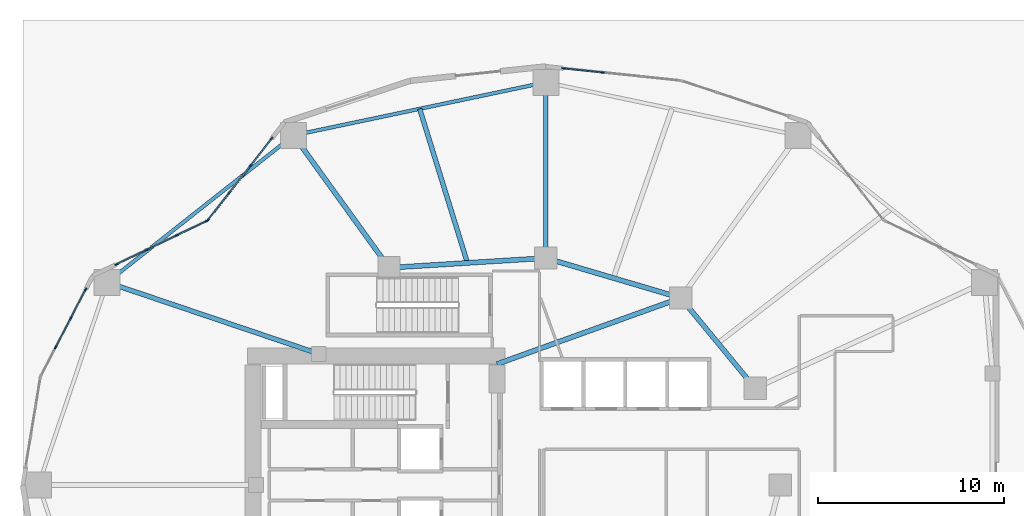
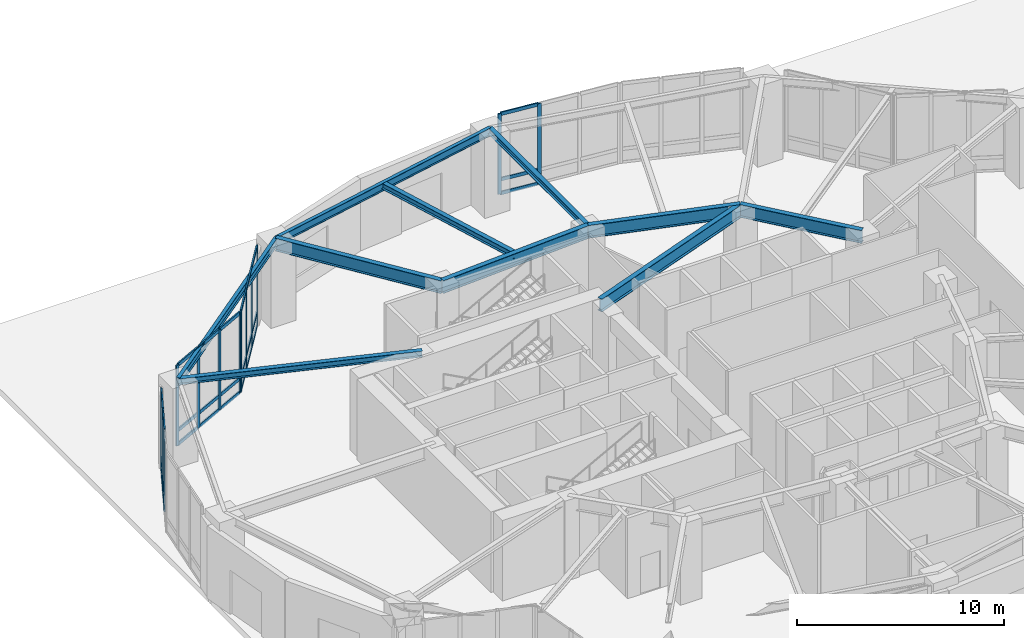
# One storey, part 6 of 23: 40 members, 10 beams, 4 elements without a shape of their own.
"""IFC4 building model written with IfcOpenShell, lengths in metres."""

from ifc_helpers import new_model, si_unit, direction, frame, origin, origin_2d, place, context, subcontext, project, spatial, rectangle, i_section, extrude, material, layer, layer_set, material_profile, profile_set, type_object, element, aggregate, save


model = new_model("IFC4")

# Units and contexts
model_context = context("Model", 3, precision=1e-05, world=origin(), true_north=direction((0.0, 1.0)))
body_context = subcontext(model_context, "Body", "Model", "MODEL_VIEW")
ifc_project = project(units=[si_unit("LENGTHUNIT", "METRE"), si_unit("AREAUNIT", "SQUARE_METRE"), si_unit("VOLUMEUNIT", "CUBIC_METRE"), si_unit("PLANEANGLEUNIT", "RADIAN"), si_unit("MASSUNIT", "GRAM", prefix="KILO")], contexts=[model_context])

# Site, building, storey
site_placement = place(None, origin())
site = spatial("IfcSite", under=ifc_project, at=site_placement, CompositionType="ELEMENT")
building_placement = place(site_placement, origin())
building = spatial("IfcBuilding", under=site, at=building_placement, Name="Kolvaren Gate Tower and Convention Centre", CompositionType="ELEMENT")
storey_placement = place(building_placement, origin())
storey = spatial("IfcBuildingStorey", under=building, at=storey_placement, Name="L00", CompositionType="ELEMENT", Elevation=0.0)

# Curtain wall, members
ifc_material_1 = material(Name="Anodized Architectural Aluminium Alloy 6063-T6", Category="aluminium")
ifc_layer = layer(ifc_material_1, 0.179931640625)
ifc_layer_set = layer_set([ifc_layer], Name="Anodized Architectural Aluminium Alloy 6063-T6")
curtain_wall_type = type_object("IfcCurtainWallType", Name="CW-POD-GLZ", PredefinedType="NOTDEFINED", material=ifc_layer_set)
curtain_wall_1_placement = place(storey_placement, origin())
curtain_wall_1 = element("IfcCurtainWall", 1, at=curtain_wall_1_placement, inside=storey, type_object=curtain_wall_type, Name="Tower L00 Unitised Curtain Wall CW-POD-GLZ Bay 05", PredefinedType="NOTDEFINED")
ifc_material_profile_1 = material_profile(ifc_material_1, rectangle(XDim=0.074951171875, YDim=0.199951171875, at=origin_2d()), Name="CW-MEM-MUL-200")
ifc_profile_set_1 = profile_set([ifc_material_profile_1], Name="Anodized Architectural Aluminium Alloy 6063-T6")
member_type_1 = type_object("IfcMemberType", Name="CW-MEM-MUL-200", PredefinedType="MULLION", material=ifc_profile_set_1)
member_1_placement = place(storey_placement, frame((31.086181640625, 49.398681640625, 0.0), z_axis=(0.0, 0.0, 1.0), x_axis=(0.104748319841, 0.994498762941, 0.0)))
member_1 = element("IfcMember", 2, at=member_1_placement, type_object=member_type_1, Name="CW-01 mullion 1", PredefinedType="MULLION", context=body_context, shape_type="SweptSolid", body=[
    extrude(rectangle(XDim=0.074951171875, YDim=0.199951171875, at=origin_2d()), origin(), (0.0, 0.0, 1.0), 4.739990234375),
])
member_2_placement = place(storey_placement, frame((33.16748046875, 49.1796875, 0.0), z_axis=(0.0, 0.0, 1.0), x_axis=(0.104748319841, 0.994498762941, 0.0)))
member_2 = element("IfcMember", 3, at=member_2_placement, type_object=member_type_1, Name="CW-01 mullion 2", PredefinedType="MULLION", context=body_context, shape_type="SweptSolid", body=[
    extrude(rectangle(XDim=0.074951171875, YDim=0.199951171875, at=origin_2d()), origin(), (0.0, 0.0, 1.0), 4.739990234375),
])

curtain_wall_2_placement = place(storey_placement, origin())
curtain_wall_2 = element("IfcCurtainWall", 4, at=curtain_wall_2_placement, inside=storey, type_object=curtain_wall_type, Name="Tower L00 Unitised Curtain Wall CW-POD-GLZ Bay 08", PredefinedType="NOTDEFINED")
member_3_placement = place(storey_placement, frame((11.957763671875, 41.242431640625, 0.0), z_axis=(0.0, 0.0, 1.0), x_axis=(-0.787416755422, 0.616421003276, 0.0)))
member_3 = element("IfcMember", 5, at=member_3_placement, type_object=member_type_1, Name="CW-01 mullion 1", PredefinedType="MULLION", context=body_context, shape_type="SweptSolid", body=[
    extrude(rectangle(XDim=0.074951171875, YDim=0.199951171875, at=origin_2d()), origin(), (0.0, 0.0, 1.0), 4.739990234375),
])
member_4_placement = place(storey_placement, frame((13.08935546875, 42.68798828125, 0.0), z_axis=(0.0, 0.0, 1.0), x_axis=(-0.787416755422, 0.616421003276, 0.0)))
member_4 = element("IfcMember", 6, at=member_4_placement, type_object=member_type_1, Name="CW-01 mullion 2", PredefinedType="MULLION", context=body_context, shape_type="SweptSolid", body=[
    extrude(rectangle(XDim=0.074951171875, YDim=0.199951171875, at=origin_2d()), origin(), (0.0, 0.0, 1.0), 4.739990234375),
])
member_5_placement = place(storey_placement, frame((14.244140625, 44.1630859375, 0.0), z_axis=(0.0, 0.0, 1.0), x_axis=(-0.787416755422, 0.616421003276, 0.0)))
member_5 = element("IfcMember", 7, at=member_5_placement, type_object=member_type_1, Name="CW-01 mullion 3", PredefinedType="MULLION", context=body_context, shape_type="SweptSolid", body=[
    extrude(rectangle(XDim=0.074951171875, YDim=0.199951171875, at=origin_2d()), origin(), (0.0, 0.0, 1.0), 4.739990234375),
])
member_6_placement = place(storey_placement, frame((15.3759765625, 45.608642578125, 0.0), z_axis=(0.0, 0.0, 1.0), x_axis=(-0.787416755422, 0.616421003276, 0.0)))
member_6 = element("IfcMember", 8, at=member_6_placement, type_object=member_type_1, Name="CW-01 mullion 4", PredefinedType="MULLION", context=body_context, shape_type="SweptSolid", body=[
    extrude(rectangle(XDim=0.074951171875, YDim=0.199951171875, at=origin_2d()), origin(), (0.0, 0.0, 1.0), 4.739990234375),
])

curtain_wall_3_placement = place(storey_placement, origin())
curtain_wall_3 = element("IfcCurtainWall", 9, at=curtain_wall_3_placement, inside=storey, type_object=curtain_wall_type, Name="Tower L00 Unitised Curtain Wall CW-POD-GLZ Bay 09", PredefinedType="NOTDEFINED")
member_7_placement = place(storey_placement, frame((7.046630859375, 38.8642578125, 0.0), z_axis=(0.0, 0.0, 1.0), x_axis=(-0.433056703319, 0.901366679942, 0.0)))
member_7 = element("IfcMember", 10, at=member_7_placement, type_object=member_type_1, Name="CW-01 mullion 1", PredefinedType="MULLION", context=body_context, shape_type="SweptSolid", body=[
    extrude(rectangle(XDim=0.074951171875, YDim=0.199951171875, at=origin_2d()), origin(), (0.0, 0.0, 1.0), 4.739990234375),
])
member_8_placement = place(storey_placement, frame((8.6533203125, 39.63623046875, 0.0), z_axis=(0.0, 0.0, 1.0), x_axis=(-0.433056703319, 0.901366679942, 0.0)))
member_8 = element("IfcMember", 11, at=member_8_placement, type_object=member_type_1, Name="CW-01 mullion 2", PredefinedType="MULLION", context=body_context, shape_type="SweptSolid", body=[
    extrude(rectangle(XDim=0.074951171875, YDim=0.199951171875, at=origin_2d()), origin(), (0.0, 0.0, 1.0), 4.739990234375),
])
member_9_placement = place(storey_placement, frame((10.2939453125, 40.424560546875, 0.0), z_axis=(0.0, 0.0, 1.0), x_axis=(-0.433056703319, 0.901366679942, 0.0)))
member_9 = element("IfcMember", 12, at=member_9_placement, type_object=member_type_1, Name="CW-01 mullion 3", PredefinedType="MULLION", context=body_context, shape_type="SweptSolid", body=[
    extrude(rectangle(XDim=0.074951171875, YDim=0.199951171875, at=origin_2d()), origin(), (0.0, 0.0, 1.0), 4.739990234375),
])
member_10_placement = place(storey_placement, frame((11.90087890625, 41.196533203125, 0.0), z_axis=(0.0, 0.0, 1.0), x_axis=(-0.433056703319, 0.901366679942, 0.0)))
member_10 = element("IfcMember", 13, at=member_10_placement, type_object=member_type_1, Name="CW-01 mullion 4", PredefinedType="MULLION", context=body_context, shape_type="SweptSolid", body=[
    extrude(rectangle(XDim=0.074951171875, YDim=0.199951171875, at=origin_2d()), origin(), (0.0, 0.0, 1.0), 4.739990234375),
])

curtain_wall_4_placement = place(storey_placement, origin())
curtain_wall_4 = element("IfcCurtainWall", 14, at=curtain_wall_4_placement, inside=storey, type_object=curtain_wall_type, Name="Tower L00 Unitised Curtain Wall CW-POD-GLZ Bay 10", PredefinedType="NOTDEFINED")
member_11_placement = place(storey_placement, frame((3.77197265625, 34.39501953125, 0.0), z_axis=(0.0, 0.0, 1.0), x_axis=(-0.888028058024, 0.459789264949, 0.0)))
member_11 = element("IfcMember", 15, at=member_11_placement, type_object=member_type_1, Name="CW-01 mullion 2", PredefinedType="MULLION", context=body_context, shape_type="SweptSolid", body=[
    extrude(rectangle(XDim=0.074951171875, YDim=0.199951171875, at=origin_2d()), origin(), (0.0, 0.0, 1.0), 4.739990234375),
])
member_12_placement = place(storey_placement, frame((4.585693359375, 35.96630859375, 0.0), z_axis=(0.0, 0.0, 1.0), x_axis=(-0.888028058024, 0.459789264949, 0.0)))
member_12 = element("IfcMember", 16, at=member_12_placement, type_object=member_type_1, Name="CW-01 mullion 3", PredefinedType="MULLION", context=body_context, shape_type="SweptSolid", body=[
    extrude(rectangle(XDim=0.074951171875, YDim=0.199951171875, at=origin_2d()), origin(), (0.0, 0.0, 1.0), 4.739990234375),
])
member_13_placement = place(storey_placement, frame((5.382080078125, 37.504638671875, 0.0), z_axis=(0.0, 0.0, 1.0), x_axis=(-0.888028058024, 0.459789264949, 0.0)))
member_13 = element("IfcMember", 17, at=member_13_placement, type_object=member_type_1, Name="CW-01 mullion 4", PredefinedType="MULLION", context=body_context, shape_type="SweptSolid", body=[
    extrude(rectangle(XDim=0.074951171875, YDim=0.199951171875, at=origin_2d()), origin(), (0.0, 0.0, 1.0), 4.739990234375),
])

# Member
ifc_material_profile_2 = material_profile(ifc_material_1, rectangle(XDim=0.074951171875, YDim=0.199951171875, at=origin_2d()), Name="CW-MEM-TRN-200")
ifc_profile_set_2 = profile_set([ifc_material_profile_2], Name="Anodized Architectural Aluminium Alloy 6063-T6")
member_type_2 = type_object("IfcMemberType", Name="CW-MEM-TRN-200", PredefinedType="USERDEFINED", material=ifc_profile_set_2)
member_14_placement = place(storey_placement, frame((31.12353515625, 49.394775390625, 0.03759765625), z_axis=(0.9945074418, -0.104665888448, 0.0), x_axis=(0.104665888448, 0.9945074418, 0.0)))
member_14 = element("IfcMember", 18, at=member_14_placement, type_object=member_type_2, Name="CW-01 transom 1.1", ObjectType="TRANSOM", PredefinedType="USERDEFINED", context=body_context, shape_type="SweptSolid", body=[
    extrude(rectangle(XDim=0.074951171875, YDim=0.199951171875, at=origin_2d()), origin(), (0.0, 0.0, 1.0), 2.017578125),
])

member_15_placement = place(storey_placement, frame((31.12353515625, 49.394775390625, 0.85009765625), z_axis=(0.9945074418, -0.104665888448, 0.0), x_axis=(0.104665888448, 0.9945074418, 0.0)))
member_15 = element("IfcMember", 19, at=member_15_placement, type_object=member_type_2, Name="CW-01 transom 1.2", ObjectType="TRANSOM", PredefinedType="USERDEFINED", context=body_context, shape_type="SweptSolid", body=[
    extrude(rectangle(XDim=0.074951171875, YDim=0.199951171875, at=origin_2d()), origin(), (0.0, 0.0, 1.0), 2.017578125),
])

member_16_placement = place(storey_placement, frame((31.12353515625, 49.394775390625, 4.702392578125), z_axis=(0.9945074418, -0.104665888448, 0.0), x_axis=(0.104665888448, 0.9945074418, 0.0)))
member_16 = element("IfcMember", 20, at=member_16_placement, type_object=member_type_2, Name="CW-01 transom 1.3", ObjectType="TRANSOM", PredefinedType="USERDEFINED", context=body_context, shape_type="SweptSolid", body=[
    extrude(rectangle(XDim=0.074951171875, YDim=0.199951171875, at=origin_2d()), origin(), (0.0, 0.0, 1.0), 2.017578125),
])

aggregate(curtain_wall_1, [member_1, member_2, member_14, member_15, member_16])

member_17_placement = place(storey_placement, frame((11.98095703125, 41.27197265625, 0.03759765625), z_axis=(0.616442840137, 0.787399660175, 0.0), x_axis=(-0.787399660175, 0.616442840137, 0.0)))
member_17 = element("IfcMember", 21, at=member_17_placement, type_object=member_type_2, Name="CW-01 transom 1.1", ObjectType="TRANSOM", PredefinedType="USERDEFINED", context=body_context, shape_type="SweptSolid", body=[
    extrude(rectangle(XDim=0.074951171875, YDim=0.199951171875, at=origin_2d()), origin(), (0.0, 0.0, 1.0), 1.7607421875),
])

member_18_placement = place(storey_placement, frame((11.98095703125, 41.27197265625, 0.85009765625), z_axis=(0.616442840137, 0.787399660175, 0.0), x_axis=(-0.787399660175, 0.616442840137, 0.0)))
member_18 = element("IfcMember", 22, at=member_18_placement, type_object=member_type_2, Name="CW-01 transom 1.2", ObjectType="TRANSOM", PredefinedType="USERDEFINED", context=body_context, shape_type="SweptSolid", body=[
    extrude(rectangle(XDim=0.074951171875, YDim=0.199951171875, at=origin_2d()), origin(), (0.0, 0.0, 1.0), 1.7607421875),
])

member_19_placement = place(storey_placement, frame((11.98095703125, 41.27197265625, 4.702392578125), z_axis=(0.616442840137, 0.787399660175, 0.0), x_axis=(-0.787399660175, 0.616442840137, 0.0)))
member_19 = element("IfcMember", 23, at=member_19_placement, type_object=member_type_2, Name="CW-01 transom 1.3", ObjectType="TRANSOM", PredefinedType="USERDEFINED", context=body_context, shape_type="SweptSolid", body=[
    extrude(rectangle(XDim=0.074951171875, YDim=0.199951171875, at=origin_2d()), origin(), (0.0, 0.0, 1.0), 1.7607421875),
])

member_20_placement = place(storey_placement, frame((13.112548828125, 42.717529296875, 0.03759765625), z_axis=(0.616465649316, 0.787381802694, 0.0), x_axis=(-0.787381802694, 0.616465649316, 0.0)))
member_20 = element("IfcMember", 24, at=member_20_placement, type_object=member_type_2, Name="CW-01 transom 2.1", ObjectType="TRANSOM", PredefinedType="USERDEFINED", context=body_context, shape_type="SweptSolid", body=[
    extrude(rectangle(XDim=0.074951171875, YDim=0.199951171875, at=origin_2d()), origin(), (0.0, 0.0, 1.0), 1.79833984375),
])

member_21_placement = place(storey_placement, frame((13.112548828125, 42.717529296875, 0.85009765625), z_axis=(0.616465649316, 0.787381802694, 0.0), x_axis=(-0.787381802694, 0.616465649316, 0.0)))
member_21 = element("IfcMember", 25, at=member_21_placement, type_object=member_type_2, Name="CW-01 transom 2.2", ObjectType="TRANSOM", PredefinedType="USERDEFINED", context=body_context, shape_type="SweptSolid", body=[
    extrude(rectangle(XDim=0.074951171875, YDim=0.199951171875, at=origin_2d()), origin(), (0.0, 0.0, 1.0), 1.79833984375),
])

member_22_placement = place(storey_placement, frame((13.112548828125, 42.717529296875, 4.702392578125), z_axis=(0.616465649316, 0.787381802694, 0.0), x_axis=(-0.787381802694, 0.616465649316, 0.0)))
member_22 = element("IfcMember", 26, at=member_22_placement, type_object=member_type_2, Name="CW-01 transom 2.3", ObjectType="TRANSOM", PredefinedType="USERDEFINED", context=body_context, shape_type="SweptSolid", body=[
    extrude(rectangle(XDim=0.074951171875, YDim=0.199951171875, at=origin_2d()), origin(), (0.0, 0.0, 1.0), 1.79833984375),
])

member_23_placement = place(storey_placement, frame((14.267333984375, 44.192626953125, 0.03759765625), z_axis=(0.616442840137, 0.787399660175, 0.0), x_axis=(-0.787399660175, 0.616442840137, 0.0)))
member_23 = element("IfcMember", 27, at=member_23_placement, type_object=member_type_2, Name="CW-01 transom 3.1", ObjectType="TRANSOM", PredefinedType="USERDEFINED", context=body_context, shape_type="SweptSolid", body=[
    extrude(rectangle(XDim=0.074951171875, YDim=0.199951171875, at=origin_2d()), origin(), (0.0, 0.0, 1.0), 1.7607421875),
])

member_24_placement = place(storey_placement, frame((14.267333984375, 44.192626953125, 0.85009765625), z_axis=(0.616442840137, 0.787399660175, 0.0), x_axis=(-0.787399660175, 0.616442840137, 0.0)))
member_24 = element("IfcMember", 28, at=member_24_placement, type_object=member_type_2, Name="CW-01 transom 3.2", ObjectType="TRANSOM", PredefinedType="USERDEFINED", context=body_context, shape_type="SweptSolid", body=[
    extrude(rectangle(XDim=0.074951171875, YDim=0.199951171875, at=origin_2d()), origin(), (0.0, 0.0, 1.0), 1.7607421875),
])

member_25_placement = place(storey_placement, frame((14.267333984375, 44.192626953125, 4.702392578125), z_axis=(0.616442840137, 0.787399660175, 0.0), x_axis=(-0.787399660175, 0.616442840137, 0.0)))
member_25 = element("IfcMember", 29, at=member_25_placement, type_object=member_type_2, Name="CW-01 transom 3.3", ObjectType="TRANSOM", PredefinedType="USERDEFINED", context=body_context, shape_type="SweptSolid", body=[
    extrude(rectangle(XDim=0.074951171875, YDim=0.199951171875, at=origin_2d()), origin(), (0.0, 0.0, 1.0), 1.7607421875),
])

aggregate(curtain_wall_2, [member_3, member_4, member_5, member_6, member_17, member_18, member_19, member_20, member_21, member_22, member_23, member_24, member_25])

member_26_placement = place(storey_placement, frame((7.080322265625, 38.880615234375, 0.03759765625), z_axis=(0.901377999465, 0.433033142011, 0.0), x_axis=(-0.433033142011, 0.901377999465, 0.0)))
member_26 = element("IfcMember", 30, at=member_26_placement, type_object=member_type_2, Name="CW-01 transom 1.1", ObjectType="TRANSOM", PredefinedType="USERDEFINED", context=body_context, shape_type="SweptSolid", body=[
    extrude(rectangle(XDim=0.074951171875, YDim=0.199951171875, at=origin_2d()), origin(), (0.0, 0.0, 1.0), 1.707763671875),
])

member_27_placement = place(storey_placement, frame((7.080322265625, 38.880615234375, 0.85009765625), z_axis=(0.901377999465, 0.433033142011, 0.0), x_axis=(-0.433033142011, 0.901377999465, 0.0)))
member_27 = element("IfcMember", 31, at=member_27_placement, type_object=member_type_2, Name="CW-01 transom 1.2", ObjectType="TRANSOM", PredefinedType="USERDEFINED", context=body_context, shape_type="SweptSolid", body=[
    extrude(rectangle(XDim=0.074951171875, YDim=0.199951171875, at=origin_2d()), origin(), (0.0, 0.0, 1.0), 1.707763671875),
])

member_28_placement = place(storey_placement, frame((7.080322265625, 38.880615234375, 4.702392578125), z_axis=(0.901377999465, 0.433033142011, 0.0), x_axis=(-0.433033142011, 0.901377999465, 0.0)))
member_28 = element("IfcMember", 32, at=member_28_placement, type_object=member_type_2, Name="CW-01 transom 1.3", ObjectType="TRANSOM", PredefinedType="USERDEFINED", context=body_context, shape_type="SweptSolid", body=[
    extrude(rectangle(XDim=0.074951171875, YDim=0.199951171875, at=origin_2d()), origin(), (0.0, 0.0, 1.0), 1.707763671875),
])

member_29_placement = place(storey_placement, frame((8.687255859375, 39.652587890625, 0.03759765625), z_axis=(0.901339603895, 0.433113055046, 0.0), x_axis=(-0.433113055046, 0.901339603895, 0.0)))
member_29 = element("IfcMember", 33, at=member_29_placement, type_object=member_type_2, Name="CW-01 transom 2.1", ObjectType="TRANSOM", PredefinedType="USERDEFINED", context=body_context, shape_type="SweptSolid", body=[
    extrude(rectangle(XDim=0.074951171875, YDim=0.199951171875, at=origin_2d()), origin(), (0.0, 0.0, 1.0), 1.7451171875),
])

member_30_placement = place(storey_placement, frame((8.687255859375, 39.652587890625, 0.85009765625), z_axis=(0.901339603895, 0.433113055046, 0.0), x_axis=(-0.433113055046, 0.901339603895, 0.0)))
member_30 = element("IfcMember", 34, at=member_30_placement, type_object=member_type_2, Name="CW-01 transom 2.2", ObjectType="TRANSOM", PredefinedType="USERDEFINED", context=body_context, shape_type="SweptSolid", body=[
    extrude(rectangle(XDim=0.074951171875, YDim=0.199951171875, at=origin_2d()), origin(), (0.0, 0.0, 1.0), 1.7451171875),
])

member_31_placement = place(storey_placement, frame((8.687255859375, 39.652587890625, 4.702392578125), z_axis=(0.901339603895, 0.433113055046, 0.0), x_axis=(-0.433113055046, 0.901339603895, 0.0)))
member_31 = element("IfcMember", 35, at=member_31_placement, type_object=member_type_2, Name="CW-01 transom 2.3", ObjectType="TRANSOM", PredefinedType="USERDEFINED", context=body_context, shape_type="SweptSolid", body=[
    extrude(rectangle(XDim=0.074951171875, YDim=0.199951171875, at=origin_2d()), origin(), (0.0, 0.0, 1.0), 1.7451171875),
])

member_32_placement = place(storey_placement, frame((10.327880859375, 40.44091796875, 0.03759765625), z_axis=(0.901377999465, 0.433033142011, 0.0), x_axis=(-0.433033142011, 0.901377999465, 0.0)))
member_32 = element("IfcMember", 36, at=member_32_placement, type_object=member_type_2, Name="CW-01 transom 3.1", ObjectType="TRANSOM", PredefinedType="USERDEFINED", context=body_context, shape_type="SweptSolid", body=[
    extrude(rectangle(XDim=0.074951171875, YDim=0.199951171875, at=origin_2d()), origin(), (0.0, 0.0, 1.0), 1.707763671875),
])

member_33_placement = place(storey_placement, frame((10.327880859375, 40.44091796875, 0.85009765625), z_axis=(0.901377999465, 0.433033142011, 0.0), x_axis=(-0.433033142011, 0.901377999465, 0.0)))
member_33 = element("IfcMember", 37, at=member_33_placement, type_object=member_type_2, Name="CW-01 transom 3.2", ObjectType="TRANSOM", PredefinedType="USERDEFINED", context=body_context, shape_type="SweptSolid", body=[
    extrude(rectangle(XDim=0.074951171875, YDim=0.199951171875, at=origin_2d()), origin(), (0.0, 0.0, 1.0), 1.707763671875),
])

member_34_placement = place(storey_placement, frame((10.327880859375, 40.44091796875, 4.702392578125), z_axis=(0.901377999465, 0.433033142011, 0.0), x_axis=(-0.433033142011, 0.901377999465, 0.0)))
member_34 = element("IfcMember", 38, at=member_34_placement, type_object=member_type_2, Name="CW-01 transom 3.3", ObjectType="TRANSOM", PredefinedType="USERDEFINED", context=body_context, shape_type="SweptSolid", body=[
    extrude(rectangle(XDim=0.074951171875, YDim=0.199951171875, at=origin_2d()), origin(), (0.0, 0.0, 1.0), 1.707763671875),
])

aggregate(curtain_wall_3, [member_7, member_8, member_9, member_10, member_26, member_27, member_28, member_29, member_30, member_31, member_32, member_33, member_34])

member_35_placement = place(storey_placement, frame((3.789306640625, 34.42822265625, 0.03759765625), z_axis=(0.459732523295, 0.888057434531, 0.0), x_axis=(-0.888057434531, 0.459732523295, 0.0)))
member_35 = element("IfcMember", 39, at=member_35_placement, type_object=member_type_2, Name="CW-01 transom 2.1", ObjectType="TRANSOM", PredefinedType="USERDEFINED", context=body_context, shape_type="SweptSolid", body=[
    extrude(rectangle(XDim=0.074951171875, YDim=0.199951171875, at=origin_2d()), origin(), (0.0, 0.0, 1.0), 1.694580078125),
])

member_36_placement = place(storey_placement, frame((3.789306640625, 34.42822265625, 0.85009765625), z_axis=(0.459732523295, 0.888057434531, 0.0), x_axis=(-0.888057434531, 0.459732523295, 0.0)))
member_36 = element("IfcMember", 40, at=member_36_placement, type_object=member_type_2, Name="CW-01 transom 2.2", ObjectType="TRANSOM", PredefinedType="USERDEFINED", context=body_context, shape_type="SweptSolid", body=[
    extrude(rectangle(XDim=0.074951171875, YDim=0.199951171875, at=origin_2d()), origin(), (0.0, 0.0, 1.0), 1.694580078125),
])

member_37_placement = place(storey_placement, frame((3.789306640625, 34.42822265625, 4.702392578125), z_axis=(0.459732523295, 0.888057434531, 0.0), x_axis=(-0.888057434531, 0.459732523295, 0.0)))
member_37 = element("IfcMember", 41, at=member_37_placement, type_object=member_type_2, Name="CW-01 transom 2.3", ObjectType="TRANSOM", PredefinedType="USERDEFINED", context=body_context, shape_type="SweptSolid", body=[
    extrude(rectangle(XDim=0.074951171875, YDim=0.199951171875, at=origin_2d()), origin(), (0.0, 0.0, 1.0), 1.694580078125),
])

member_38_placement = place(storey_placement, frame((4.602783203125, 35.999755859375, 0.03759765625), z_axis=(0.459839725039, 0.88800192977, 0.0), x_axis=(-0.88800192977, 0.459839725039, 0.0)))
member_38 = element("IfcMember", 42, at=member_38_placement, type_object=member_type_2, Name="CW-01 transom 3.1", ObjectType="TRANSOM", PredefinedType="USERDEFINED", context=body_context, shape_type="SweptSolid", body=[
    extrude(rectangle(XDim=0.074951171875, YDim=0.199951171875, at=origin_2d()), origin(), (0.0, 0.0, 1.0), 1.656982421875),
])

member_39_placement = place(storey_placement, frame((4.602783203125, 35.999755859375, 0.85009765625), z_axis=(0.459839725039, 0.88800192977, 0.0), x_axis=(-0.88800192977, 0.459839725039, 0.0)))
member_39 = element("IfcMember", 43, at=member_39_placement, type_object=member_type_2, Name="CW-01 transom 3.2", ObjectType="TRANSOM", PredefinedType="USERDEFINED", context=body_context, shape_type="SweptSolid", body=[
    extrude(rectangle(XDim=0.074951171875, YDim=0.199951171875, at=origin_2d()), origin(), (0.0, 0.0, 1.0), 1.656982421875),
])

member_40_placement = place(storey_placement, frame((4.602783203125, 35.999755859375, 4.702392578125), z_axis=(0.459839725039, 0.88800192977, 0.0), x_axis=(-0.88800192977, 0.459839725039, 0.0)))
member_40 = element("IfcMember", 44, at=member_40_placement, type_object=member_type_2, Name="CW-01 transom 3.3", ObjectType="TRANSOM", PredefinedType="USERDEFINED", context=body_context, shape_type="SweptSolid", body=[
    extrude(rectangle(XDim=0.074951171875, YDim=0.199951171875, at=origin_2d()), origin(), (0.0, 0.0, 1.0), 1.656982421875),
])

aggregate(curtain_wall_4, [member_11, member_12, member_13, member_35, member_36, member_37, member_38, member_39, member_40])

# Beams
ifc_material_2 = material(Name="Structural steel ASTM A992 Grade 345 MPa", Category="steel")
ifc_material_profile_3 = material_profile(ifc_material_2, i_section(OverallWidth=0.26806640625, OverallDepth=0.758056640625, WebThickness=0.016357421875, FlangeThickness=0.025390625, at=origin_2d()), Name="W760X220")
ifc_profile_set_3 = profile_set([ifc_material_profile_3], Name="Structural steel ASTM A992 Grade 345 MPa")
beam_type_1 = type_object("IfcBeamType", Name="STR-BM-W760X220", PredefinedType="BEAM", material=ifc_profile_set_3)
beam_1_placement = place(storey_placement, frame((41.382080078125, 32.199462890625, 4.361083984375), z_axis=(-0.635884066011, 0.771784590798, 0.0), x_axis=(-0.771784590798, -0.635884066011, 0.0)))
element("IfcBeam", 45, at=beam_1_placement, inside=storey, type_object=beam_type_1, Name="Tower L00 Primary Ring Girder G-02", PredefinedType="BEAM", context=body_context, shape_type="SweptSolid", body=[
    extrude(i_section(OverallWidth=0.26806640625, OverallDepth=0.758056640625, WebThickness=0.016357421875, FlangeThickness=0.025390625, at=origin_2d()), origin(), (0.0, 0.0, 1.0), 6.291259765625),
])
beam_2_placement = place(storey_placement, frame((37.381591796875, 37.054931640625, 4.361083984375), z_axis=(-0.958980837827, 0.283470902706, 0.0), x_axis=(-0.283470902706, -0.958980837827, 0.0)))
element("IfcBeam", 46, at=beam_2_placement, inside=storey, type_object=beam_type_1, Name="Tower L00 Primary Ring Girder G-03", PredefinedType="BEAM", context=body_context, shape_type="SweptSolid", body=[
    extrude(i_section(OverallWidth=0.26806640625, OverallDepth=0.758056640625, WebThickness=0.016357421875, FlangeThickness=0.025390625, at=origin_2d()), origin(), (0.0, 0.0, 1.0), 7.56689453125),
])
beam_3_placement = place(storey_placement, frame((30.125, 39.199951171875, 4.361083984375), z_axis=(-0.998078258568, -0.06196603726, 0.0), x_axis=(0.06196603726, -0.998078258568, 0.0)))
element("IfcBeam", 47, at=beam_3_placement, inside=storey, type_object=beam_type_1, Name="Tower L00 Primary Ring Girder G-04", PredefinedType="BEAM", context=body_context, shape_type="SweptSolid", body=[
    extrude(i_section(OverallWidth=0.26806640625, OverallDepth=0.758056640625, WebThickness=0.016357421875, FlangeThickness=0.025390625, at=origin_2d()), origin(), (0.0, 0.0, 1.0), 8.443115234375),
])
beam_4_placement = place(storey_placement, frame((27.5, 33.5, 4.361083984375), z_axis=(0.940961479908, 0.338513653093, 0.0), x_axis=(-0.338513653093, 0.940961479908, 0.0)))
element("IfcBeam", 48, at=beam_4_placement, inside=storey, type_object=beam_type_1, Name="Tower L00 Primary Ring Girder G-10", PredefinedType="BEAM", context=body_context, shape_type="SweptSolid", body=[
    extrude(i_section(OverallWidth=0.26806640625, OverallDepth=0.758056640625, WebThickness=0.016357421875, FlangeThickness=0.025390625, at=origin_2d()), origin(), (0.0, 0.0, 1.0), 10.501708984375),
])
beam_5_placement = place(storey_placement, frame((21.697998046875, 38.6767578125, 4.361083984375), z_axis=(-0.585208283095, 0.810883015852, 0.0), x_axis=(-0.810883015852, -0.585208283095, 0.0)))
element("IfcBeam", 49, at=beam_5_placement, inside=storey, type_object=beam_type_1, Name="Tower L00 Radial Floor Girder RB-05", PredefinedType="BEAM", context=body_context, shape_type="SweptSolid", body=[
    extrude(i_section(OverallWidth=0.26806640625, OverallDepth=0.758056640625, WebThickness=0.016357421875, FlangeThickness=0.025390625, at=origin_2d()), origin(), (0.0, 0.0, 1.0), 8.780029296875),
])
ifc_material_profile_4 = material_profile(ifc_material_2, i_section(OverallWidth=0.2548828125, OverallDepth=0.35693359375, WebThickness=0.010498046875, FlangeThickness=0.018310546875, at=origin_2d()), Name="W360X101")
ifc_profile_set_4 = profile_set([ifc_material_profile_4], Name="Structural steel ASTM A992 Grade 345 MPa")
beam_type_2 = type_object("IfcBeamType", Name="STR-JS-W360X101", PredefinedType="JOIST", material=ifc_profile_set_4)
beam_6_placement = place(storey_placement, frame((30.125, 39.199951171875, 4.5615234375), z_axis=(0.0, 1.0, 0.0), x_axis=(-1.0, 0.0, 0.0)))
element("IfcBeam", 50, at=beam_6_placement, inside=storey, type_object=beam_type_2, Name="Tower L00 Radial Floor Girder RB-04", PredefinedType="JOIST", context=body_context, shape_type="SweptSolid", body=[
    extrude(i_section(OverallWidth=0.2548828125, OverallDepth=0.35693359375, WebThickness=0.010498046875, FlangeThickness=0.018310546875, at=origin_2d()), origin(), (0.0, 0.0, 1.0), 9.449951171875),
])
beam_7_placement = place(storey_placement, frame((17.9140625, 34.050048828125, 4.5615234375), z_axis=(-0.947373842609, 0.320129352512, 0.0), x_axis=(-0.320129352512, -0.947373842609, 0.0)))
element("IfcBeam", 51, at=beam_7_placement, inside=storey, type_object=beam_type_2, Name="Tower L00 Radial Floor Girder RB-06", PredefinedType="JOIST", context=body_context, shape_type="SweptSolid", body=[
    extrude(i_section(OverallWidth=0.2548828125, OverallDepth=0.35693359375, WebThickness=0.010498046875, FlangeThickness=0.018310546875, at=origin_2d()), origin(), (0.0, 0.0, 1.0), 12.006103515625),
])
beam_8_placement = place(storey_placement, frame((25.91162109375, 38.938232421875, 4.5615234375), z_axis=(-0.296205333134, 0.955124285433, 0.0), x_axis=(-0.955124285433, -0.296205333134, 0.0)))
element("IfcBeam", 52, at=beam_8_placement, inside=storey, type_object=beam_type_2, Name="Tower L00 Secondary Composite Floor Joist J-04.1", PredefinedType="JOIST", context=body_context, shape_type="SweptSolid", body=[
    extrude(i_section(OverallWidth=0.2548828125, OverallDepth=0.35693359375, WebThickness=0.010498046875, FlangeThickness=0.018310546875, at=origin_2d()), origin(), (0.0, 0.0, 1.0), 8.674072265625),
])
ifc_material_profile_5 = material_profile(ifc_material_2, i_section(OverallWidth=0.194091796875, OverallDepth=0.468994140625, WebThickness=0.0126953125, FlangeThickness=0.0205078125, at=origin_2d()), Name="W460X106")
ifc_profile_set_5 = profile_set([ifc_material_profile_5], Name="Structural steel ASTM A992 Grade 345 MPa")
beam_type_3 = type_object("IfcBeamType", Name="STR-SP-W460X106", PredefinedType="SPANDREL", material=ifc_profile_set_5)
beam_9_placement = place(storey_placement, frame((30.125, 48.64990234375, 4.505615234375), z_axis=(-0.978583407863, -0.205850707685, 0.0), x_axis=(0.205850707685, -0.978583407863, 0.0)))
element("IfcBeam", 53, at=beam_9_placement, inside=storey, type_object=beam_type_3, Name="Tower L00 Perimeter Spandrel Beam SP-04", PredefinedType="SPANDREL", context=body_context, shape_type="SweptSolid", body=[
    extrude(i_section(OverallWidth=0.194091796875, OverallDepth=0.468994140625, WebThickness=0.0126953125, FlangeThickness=0.0205078125, at=origin_2d()), origin(), (0.0, 0.0, 1.0), 13.862060546875),
])
beam_10_placement = place(storey_placement, frame((16.559814453125, 45.79638671875, 4.505615234375), z_axis=(-0.785176498861, -0.619272044933, 0.0), x_axis=(0.619272044933, -0.785176498861, 0.0)))
element("IfcBeam", 54, at=beam_10_placement, inside=storey, type_object=beam_type_3, Name="Tower L00 Perimeter Spandrel Beam SP-05", PredefinedType="SPANDREL", context=body_context, shape_type="SweptSolid", body=[
    extrude(i_section(OverallWidth=0.194091796875, OverallDepth=0.468994140625, WebThickness=0.0126953125, FlangeThickness=0.0205078125, at=origin_2d()), origin(), (0.0, 0.0, 1.0), 12.761474609375),
])

save(model, "model.ifc")
